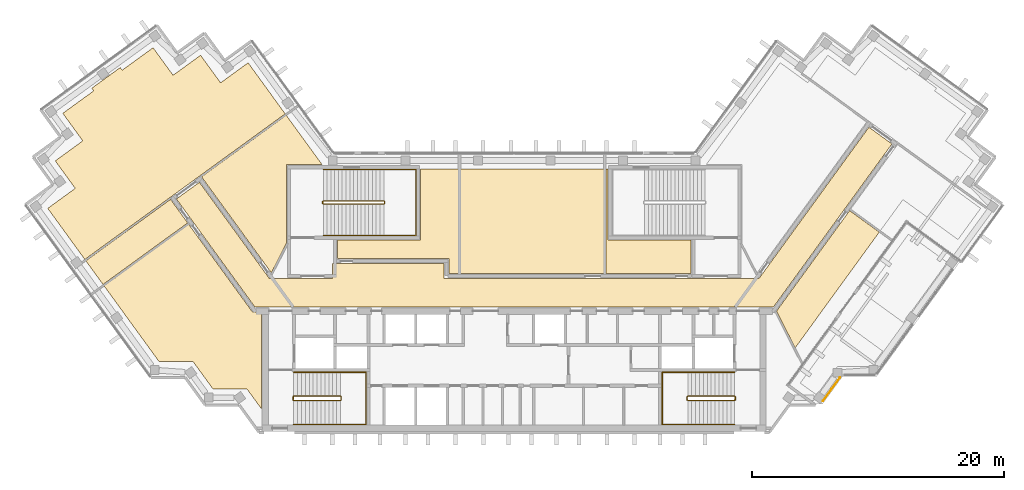
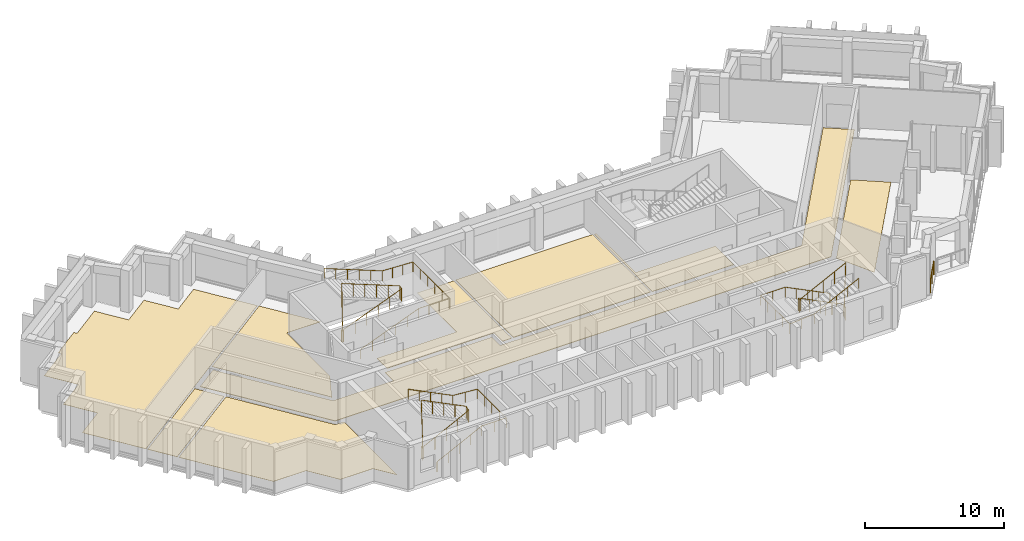
# One storey, part 10 of 11: 9 coverings, 7 railings.
"""IFC4 building model written with IfcOpenShell, lengths in metres."""

from ifc_helpers import new_model, si_unit, direction, frame, origin, origin_2d, place, context, subcontext, project, spatial, polyline, circle, outline, extrude, material, layer, layer_set, type_object, element, save


model = new_model("IFC4")

# Units and contexts
model_context = context("Model", 3, precision=1e-05, world=origin(), true_north=direction((0.0, 1.0)))
body_context = subcontext(model_context, "Body", "Model", "MODEL_VIEW")
ifc_project = project(units=[si_unit("LENGTHUNIT", "METRE"), si_unit("AREAUNIT", "SQUARE_METRE"), si_unit("VOLUMEUNIT", "CUBIC_METRE"), si_unit("PLANEANGLEUNIT", "RADIAN"), si_unit("MASSUNIT", "GRAM", prefix="KILO")], contexts=[model_context])

# Site, building, storey
site_placement = place(None, origin())
site = spatial("IfcSite", under=ifc_project, at=site_placement, CompositionType="ELEMENT")
building_placement = place(site_placement, origin())
building = spatial("IfcBuilding", under=site, at=building_placement, Name="Quipu Civic Tower", CompositionType="ELEMENT")
storey_placement = place(building_placement, frame((0.0, 0.0, 319.0)))
storey = spatial("IfcBuildingStorey", under=building, at=storey_placement, Name="L74", CompositionType="ELEMENT", Elevation=319.0)

# Coverings
ifc_material_1 = material(Name="Carpet tile on raised access floor")
ifc_layer_1 = layer(ifc_material_1, 0.02001953125)
ifc_layer_set_1 = layer_set([ifc_layer_1], Name="Carpet tile on raised access floor")
covering_type_1 = type_object("IfcCoveringType", Name="Carpet tile floor finish 20", PredefinedType="FLOORING", material=ifc_layer_set_1)
covering_1_placement = place(storey_placement, origin())
element("IfcCovering", 1, at=covering_1_placement, inside=storey, type_object=covering_type_1, Name="Carpet tile floor finish 20", PredefinedType="FLOORING", context=body_context, shape_type="SweptSolid", body=[
    extrude(outline(polyline([(-14.030029296875, 2.719970703125), (-14.030029296875, 4.179931640625), (-7.430908203125, 4.179931640625), (-7.429931640625, 9.830078125), (-4.388916015625, 9.830078125), (-4.388916015625, 1.52001953125), (-5.179931640625, 1.52001953125), (-5.181884765625, 2.719970703125), (-14.030029296875, 2.719970703125)])), origin(), (0.0, 0.0, 1.0), 0.02001953125),
])
covering_2_placement = place(storey_placement, origin())
element("IfcCovering", 2, at=covering_2_placement, inside=storey, type_object=covering_type_1, Name="Carpet tile floor finish 20", PredefinedType="FLOORING", context=body_context, shape_type="SweptSolid", body=[
    extrude(outline(polyline([(-24.81201171875, 9.2109375), (-18.089111328125, 14.093994140625), (-15.238037109375, 10.169921875), (-18.070068359375, 10.1689453125), (-18.070068359375, 3.94189453125), (-19.27197265625, 1.583984375), (-24.81201171875, 9.2109375)])), origin(), (0.0, 0.0, 1.0), 0.02001953125),
])
covering_3_placement = place(storey_placement, origin())
element("IfcCovering", 3, at=covering_3_placement, inside=storey, type_object=covering_type_1, Name="Carpet tile floor finish 20", PredefinedType="FLOORING", context=body_context, shape_type="SweptSolid", body=[
    extrude(outline(polyline([(-32.552001953125, 0.552978515625), (-25.8291015625, 5.43701171875), (-20.77490234375, -1.51904296875), (-20.070068359375, -1.52001953125), (-20.070068359375, -9.195068359375), (-21.196044921875, -7.64599609375), (-23.89501953125, -7.64599609375), (-25.48193359375, -5.4619140625), (-28.181884765625, -5.4609375), (-32.552001953125, 0.552978515625)])), origin(), (0.0, 0.0, 1.0), 0.02001953125),
])
covering_4_placement = place(storey_placement, origin())
element("IfcCovering", 4, at=covering_4_placement, inside=storey, type_object=covering_type_1, Name="Carpet tile floor finish 20", PredefinedType="FLOORING", context=body_context, shape_type="SweptSolid", body=[
    extrude(outline(polyline([(-37.02197265625, 6.7060546875), (-34.839111328125, 8.291015625), (-36.425048828125, 10.47607421875), (-34.240966796875, 12.06396484375), (-35.826904296875, 14.248046875), (-33.3701171875, 16.032958984375), (-33.52197265625, 16.2451171875), (-31.27099609375, 17.8798828125), (-31.116943359375, 17.6708984375), (-28.658935546875, 19.455078125), (-27.073974609375, 17.27197265625), (-24.887939453125, 18.85791015625), (-23.301025390625, 16.675048828125), (-21.116943359375, 18.260986328125), (-18.172119140625, 14.20703125), (-34.077880859375, 2.652099609375), (-37.02197265625, 6.7060546875)])), origin(), (0.0, 0.0, 1.0), 0.02001953125),
])
covering_5_placement = place(storey_placement, origin())
element("IfcCovering", 5, at=covering_5_placement, inside=storey, type_object=covering_type_1, Name="Carpet tile floor finish 20", PredefinedType="FLOORING", context=body_context, shape_type="SweptSolid", body=[
    extrude(outline(polyline([(20.821044921875, -1.4560546875), (26.6220703125, 6.529052734375), (28.97705078125, 4.819091796875), (22.303955078125, -4.365966796875), (20.821044921875, -1.4560546875)])), origin(), (0.0, 0.0, 1.0), 0.02001953125),
])
ifc_material_2 = material(Name="Ceramic floor tile")
ifc_layer_2 = layer(ifc_material_2, 0.030029296875)
ifc_layer_set_2 = layer_set([ifc_layer_2], Name="Ceramic floor tile")
covering_type_2 = type_object("IfcCoveringType", Name="Ceramic tile floor finish 30", PredefinedType="FLOORING", material=ifc_layer_set_2)
covering_6_placement = place(storey_placement, origin())
element("IfcCovering", 6, at=covering_6_placement, inside=storey, type_object=covering_type_2, Name="Ceramic tile floor finish 30", PredefinedType="FLOORING", context=body_context, shape_type="SweptSolid", body=[
    extrude(outline(polyline([(7.26806640625, 1.52001953125), (7.26806640625, 9.830078125), (7.429931640625, 9.830078125), (7.429931640625, 4.180908203125), (14.030029296875, 4.179931640625), (14.030029296875, 1.52001953125), (7.26806640625, 1.52001953125)])), origin(), (0.0, 0.0, 1.0), 0.030029296875),
])
covering_7_placement = place(storey_placement, origin())
element("IfcCovering", 7, at=covering_7_placement, inside=storey, type_object=covering_type_2, Name="Ceramic tile floor finish 30", PredefinedType="FLOORING", context=body_context, shape_type="SweptSolid", body=[
    extrude(outline(polyline([(-33.9951171875, 2.5390625), (-27.27197265625, 7.423095703125), (-25.912109375, 5.550048828125), (-32.635009765625, 0.666015625), (-33.9951171875, 2.5390625)])), origin(), (0.0, 0.0, 1.0), 0.030029296875),
])
ifc_material_3 = material(Name="Sealed cement screed")
ifc_layer_3 = layer(ifc_material_3, 0.050048828125)
ifc_layer_set_3 = layer_set([ifc_layer_3], Name="Sealed cement screed")
covering_type_3 = type_object("IfcCoveringType", Name="Sealed screed floor finish 50", PredefinedType="FLOORING", material=ifc_layer_set_3)
covering_8_placement = place(storey_placement, origin())
element("IfcCovering", 8, at=covering_8_placement, inside=storey, type_object=covering_type_3, Name="Sealed screed floor finish 50", PredefinedType="FLOORING", context=body_context, shape_type="SweptSolid", body=[
    extrude(outline(polyline([(-4.2490234375, 1.52001953125), (-4.2490234375, 9.830078125), (7.1279296875, 9.830078125), (7.1279296875, 1.52001953125), (-4.2490234375, 1.52001953125)])), origin(), (0.0, 0.0, 1.0), 0.050048828125),
])

# Railings
ifc_material_4 = material(Name="Stainless steel", Category="steel")
railing_type_1 = type_object("IfcRailingType", Name="Stair guard 1100", PredefinedType="GUARDRAIL", material=ifc_material_4)
railing_1_placement = place(storey_placement, frame((-17.5, -8.550048828125, 0.15380859375)))
element("IfcRailing", 9, at=railing_1_placement, inside=storey, type_object=railing_type_1, Name="Stair 1 guard", PredefinedType="GUARDRAIL", context=body_context, shape_type="SweptSolid", body=[
    extrude(circle(Radius=0.02392578125, at=origin_2d()), frame((0.0, 0.0, 1.076171875), z_axis=(0.895751851347, 0.0, 0.444554407028), x_axis=(0.0, 1.0, 0.0)), (0.0, 0.0, 1.0), 4.15283203125),
    extrude(circle(Radius=0.02392578125, at=origin_2d()), frame((3.719970703125, 0.0, 2.92236328125), z_axis=(0.707106781187, 0.707106781187, 0.0), x_axis=(-0.707106781187, 0.707106781187, 0.0)), (0.0, 0.0, 1.0), 0.07080078125),
    extrude(circle(Radius=0.02392578125, at=origin_2d()), frame((3.77001953125, 0.050048828125, 2.92236328125), z_axis=(0.0, 1.0, 0.0), x_axis=(-1.0, 0.0, 0.0)), (0.0, 0.0, 1.0), 0.25),
    extrude(circle(Radius=0.02392578125, at=origin_2d()), frame((3.77001953125, 0.300048828125, 2.92236328125), z_axis=(-0.295599637079, 0.295599637079, 0.908428152975), x_axis=(-0.707106781187, -0.707106781187, 0.0)), (0.0, 0.0, 1.0), 0.16943359375),
    extrude(circle(Radius=0.02392578125, at=origin_2d()), frame((3.719970703125, 0.35009765625, 3.076171875), z_axis=(-0.895751851347, 0.0, 0.444554407028), x_axis=(0.0, -1.0, 0.0)), (0.0, 0.0, 1.0), 4.15283203125),
    extrude(circle(Radius=0.02392578125, at=origin_2d()), frame((0.0, 0.35009765625, 4.92236328125), z_axis=(-0.012476181752, -0.074796231092, -0.997120789425), x_axis=(0.986372223864, -0.164529134168, 0.0)), (0.0, 0.0, 1.0), 4.011474609375),
    extrude(circle(Radius=0.02392578125, at=origin_2d()), frame((-0.050048828125, 0.050048828125, 0.92236328125), z_axis=(0.0, 1.0, 0.0), x_axis=(-1.0, 0.0, 0.0)), (0.0, 0.0, 1.0), 0.25),
    extrude(circle(Radius=0.02099609375, at=origin_2d()), origin(), (0.0, 0.0, 1.0), 1.052001953125),
    extrude(circle(Radius=0.02099609375, at=origin_2d()), frame((0.929931640625, 0.0, 0.46142578125)), (0.0, 0.0, 1.0), 1.052001953125),
    extrude(circle(Radius=0.02099609375, at=origin_2d()), frame((1.85986328125, 0.0, 0.923095703125)), (0.0, 0.0, 1.0), 1.052001953125),
    extrude(circle(Radius=0.02099609375, at=origin_2d()), frame((2.7900390625, 0.0, 1.384765625)), (0.0, 0.0, 1.0), 1.052001953125),
    extrude(circle(Radius=0.02099609375, at=origin_2d()), frame((3.719970703125, 0.0, 1.84619140625)), (0.0, 0.0, 1.0), 1.052001953125),
    extrude(circle(Radius=0.02099609375, at=origin_2d()), frame((3.77001953125, 0.050048828125, 1.84619140625)), (0.0, 0.0, 1.0), 1.052001953125),
    extrude(circle(Radius=0.02099609375, at=origin_2d()), frame((3.77001953125, 0.300048828125, 1.84619140625)), (0.0, 0.0, 1.0), 1.052001953125),
    extrude(circle(Radius=0.02099609375, at=origin_2d()), frame((3.719970703125, 0.35009765625, 2.0)), (0.0, 0.0, 1.0), 1.052001953125),
    extrude(circle(Radius=0.02099609375, at=origin_2d()), frame((2.7900390625, 0.35009765625, 2.46142578125)), (0.0, 0.0, 1.0), 1.052001953125),
    extrude(circle(Radius=0.02099609375, at=origin_2d()), frame((1.85986328125, 0.35009765625, 2.923095703125)), (0.0, 0.0, 1.0), 1.052001953125),
    extrude(circle(Radius=0.02099609375, at=origin_2d()), frame((0.929931640625, 0.35009765625, 3.384765625)), (0.0, 0.0, 1.0), 1.052001953125),
    extrude(circle(Radius=0.02099609375, at=origin_2d()), frame((0.0, 0.35009765625, 3.84619140625)), (0.0, 0.0, 1.0), 1.052001953125),
    extrude(circle(Radius=0.02099609375, at=origin_2d()), frame((-0.012451171875, 0.275146484375, 2.84619140625)), (0.0, 0.0, 1.0), 1.052001953125),
    extrude(circle(Radius=0.02099609375, at=origin_2d()), frame((-0.02490234375, 0.2001953125, 1.84619140625)), (0.0, 0.0, 1.0), 1.052001953125),
    extrude(circle(Radius=0.02099609375, at=origin_2d()), frame((-0.03759765625, 0.125, 0.84619140625)), (0.0, 0.0, 1.0), 1.052001953125),
    extrude(circle(Radius=0.02099609375, at=origin_2d()), frame((-0.050048828125, 0.050048828125, -0.15380859375)), (0.0, 0.0, 1.0), 1.052001953125),
    extrude(circle(Radius=0.02099609375, at=origin_2d()), frame((-0.050048828125, 0.300048828125, -0.15380859375)), (0.0, 0.0, 1.0), 1.052001953125),
])
railing_2_placement = place(storey_placement, frame((17.5, -8.199951171875, 0.15380859375)))
element("IfcRailing", 10, at=railing_2_placement, inside=storey, type_object=railing_type_1, Name="Stair 2 guard", PredefinedType="GUARDRAIL", context=body_context, shape_type="SweptSolid", body=[
    extrude(circle(Radius=0.02392578125, at=origin_2d()), frame((0.0, 0.0, 1.076171875), z_axis=(-0.895751851347, 0.0, 0.444554407028), x_axis=(0.0, -1.0, 0.0)), (0.0, 0.0, 1.0), 4.15283203125),
    extrude(circle(Radius=0.02392578125, at=origin_2d()), frame((-3.719970703125, 0.0, 2.92236328125), z_axis=(-0.707106781187, -0.707106781187, 0.0), x_axis=(0.707106781187, -0.707106781187, 0.0)), (0.0, 0.0, 1.0), 0.07080078125),
    extrude(circle(Radius=0.02392578125, at=origin_2d()), frame((-3.77001953125, -0.050048828125, 2.92236328125), z_axis=(0.0, -1.0, 0.0), x_axis=(1.0, 0.0, 0.0)), (0.0, 0.0, 1.0), 0.25),
    extrude(circle(Radius=0.02392578125, at=origin_2d()), frame((-3.77001953125, -0.300048828125, 2.92236328125), z_axis=(0.295599637079, -0.295599637079, 0.908428152975), x_axis=(0.707106781187, 0.707106781187, 0.0)), (0.0, 0.0, 1.0), 0.16943359375),
    extrude(circle(Radius=0.02392578125, at=origin_2d()), frame((-3.719970703125, -0.35009765625, 3.076171875), z_axis=(0.895751851347, 0.0, 0.444554407028), x_axis=(0.0, 1.0, 0.0)), (0.0, 0.0, 1.0), 4.15283203125),
    extrude(circle(Radius=0.02392578125, at=origin_2d()), frame((0.0, -0.35009765625, 4.92236328125), z_axis=(0.012476181752, 0.074796231092, -0.997120789425), x_axis=(-0.986372223864, 0.164529134168, 0.0)), (0.0, 0.0, 1.0), 4.011474609375),
    extrude(circle(Radius=0.02392578125, at=origin_2d()), frame((0.050048828125, -0.050048828125, 0.92236328125), z_axis=(0.0, -1.0, 0.0), x_axis=(1.0, 0.0, 0.0)), (0.0, 0.0, 1.0), 0.25),
    extrude(circle(Radius=0.02099609375, at=origin_2d()), origin(), (0.0, 0.0, 1.0), 1.052001953125),
    extrude(circle(Radius=0.02099609375, at=origin_2d()), frame((-0.929931640625, 0.0, 0.46142578125)), (0.0, 0.0, 1.0), 1.052001953125),
    extrude(circle(Radius=0.02099609375, at=origin_2d()), frame((-1.85986328125, 0.0, 0.923095703125)), (0.0, 0.0, 1.0), 1.052001953125),
    extrude(circle(Radius=0.02099609375, at=origin_2d()), frame((-2.7900390625, 0.0, 1.384765625)), (0.0, 0.0, 1.0), 1.052001953125),
    extrude(circle(Radius=0.02099609375, at=origin_2d()), frame((-3.719970703125, 0.0, 1.84619140625)), (0.0, 0.0, 1.0), 1.052001953125),
    extrude(circle(Radius=0.02099609375, at=origin_2d()), frame((-3.77001953125, -0.050048828125, 1.84619140625)), (0.0, 0.0, 1.0), 1.052001953125),
    extrude(circle(Radius=0.02099609375, at=origin_2d()), frame((-3.77001953125, -0.300048828125, 1.84619140625)), (0.0, 0.0, 1.0), 1.052001953125),
    extrude(circle(Radius=0.02099609375, at=origin_2d()), frame((-3.719970703125, -0.35009765625, 2.0)), (0.0, 0.0, 1.0), 1.052001953125),
    extrude(circle(Radius=0.02099609375, at=origin_2d()), frame((-2.7900390625, -0.35009765625, 2.46142578125)), (0.0, 0.0, 1.0), 1.052001953125),
    extrude(circle(Radius=0.02099609375, at=origin_2d()), frame((-1.85986328125, -0.35009765625, 2.923095703125)), (0.0, 0.0, 1.0), 1.052001953125),
    extrude(circle(Radius=0.02099609375, at=origin_2d()), frame((-0.929931640625, -0.35009765625, 3.384765625)), (0.0, 0.0, 1.0), 1.052001953125),
    extrude(circle(Radius=0.02099609375, at=origin_2d()), frame((0.0, -0.35009765625, 3.84619140625)), (0.0, 0.0, 1.0), 1.052001953125),
    extrude(circle(Radius=0.02099609375, at=origin_2d()), frame((0.012451171875, -0.275146484375, 2.84619140625)), (0.0, 0.0, 1.0), 1.052001953125),
    extrude(circle(Radius=0.02099609375, at=origin_2d()), frame((0.02490234375, -0.2001953125, 1.84619140625)), (0.0, 0.0, 1.0), 1.052001953125),
    extrude(circle(Radius=0.02099609375, at=origin_2d()), frame((0.03759765625, -0.125, 0.84619140625)), (0.0, 0.0, 1.0), 1.052001953125),
    extrude(circle(Radius=0.02099609375, at=origin_2d()), frame((0.050048828125, -0.050048828125, -0.15380859375)), (0.0, 0.0, 1.0), 1.052001953125),
    extrude(circle(Radius=0.02099609375, at=origin_2d()), frame((0.050048828125, -0.300048828125, -0.15380859375)), (0.0, 0.0, 1.0), 1.052001953125),
])
railing_3_placement = place(storey_placement, frame((-15.14990234375, 7.050048828125, 0.11767578125)))
element("IfcRailing", 11, at=railing_3_placement, inside=storey, type_object=railing_type_1, Name="Stair 3 guard", PredefinedType="GUARDRAIL", context=body_context, shape_type="SweptSolid", body=[
    extrude(circle(Radius=0.02392578125, at=origin_2d()), frame((0.0, 0.0, 1.076171875), z_axis=(0.930970042603, 0.0, 0.365095576219), x_axis=(0.0, 1.0, 0.0)), (0.0, 0.0, 1.0), 5.15576171875),
    extrude(circle(Radius=0.02392578125, at=origin_2d()), frame((4.7998046875, 0.0, 2.95849609375), z_axis=(0.707106781187, 0.707106781187, 0.0), x_axis=(-0.707106781187, 0.707106781187, 0.0)), (0.0, 0.0, 1.0), 0.07080078125),
    extrude(circle(Radius=0.02392578125, at=origin_2d()), frame((4.849853515625, 0.050048828125, 2.95849609375), z_axis=(0.0, 1.0, 0.0), x_axis=(-1.0, 0.0, 0.0)), (0.0, 0.0, 1.0), 0.14990234375),
    extrude(circle(Radius=0.02392578125, at=origin_2d()), frame((4.849853515625, 0.199951171875, 2.95849609375), z_axis=(-0.364463019033, 0.364463019033, 0.856932561824), x_axis=(-0.707106781187, -0.707106781187, 0.0)), (0.0, 0.0, 1.0), 0.13720703125),
    extrude(circle(Radius=0.02392578125, at=origin_2d()), frame((4.7998046875, 0.25, 3.076171875), z_axis=(-0.930970042603, 0.0, 0.365095576219), x_axis=(0.0, -1.0, 0.0)), (0.0, 0.0, 1.0), 5.15576171875),
    extrude(circle(Radius=0.02392578125, at=origin_2d()), frame((0.0, 0.25, 4.95849609375), z_axis=(-0.012495627992, -0.049921557685, -0.998674970829), x_axis=(0.970072785993, -0.242814311512, 0.0)), (0.0, 0.0, 1.0), 4.00537109375),
    extrude(circle(Radius=0.02392578125, at=origin_2d()), frame((-0.050048828125, 0.050048828125, 0.95849609375), z_axis=(0.0, 1.0, 0.0), x_axis=(-1.0, 0.0, 0.0)), (0.0, 0.0, 1.0), 0.14990234375),
    extrude(circle(Radius=0.02099609375, at=origin_2d()), origin(), (0.0, 0.0, 1.0), 1.052001953125),
    extrude(circle(Radius=0.02099609375, at=origin_2d()), frame((0.9599609375, 0.0, 0.37646484375)), (0.0, 0.0, 1.0), 1.052001953125),
    extrude(circle(Radius=0.02099609375, at=origin_2d()), frame((1.919921875, 0.0, 0.7529296875)), (0.0, 0.0, 1.0), 1.052001953125),
    extrude(circle(Radius=0.02099609375, at=origin_2d()), frame((2.8798828125, 0.0, 1.12939453125)), (0.0, 0.0, 1.0), 1.052001953125),
    extrude(circle(Radius=0.02099609375, at=origin_2d()), frame((3.83984375, 0.0, 1.505859375)), (0.0, 0.0, 1.0), 1.052001953125),
    extrude(circle(Radius=0.02099609375, at=origin_2d()), frame((4.7998046875, 0.0, 1.88232421875)), (0.0, 0.0, 1.0), 1.052001953125),
    extrude(circle(Radius=0.02099609375, at=origin_2d()), frame((4.849853515625, 0.050048828125, 1.88232421875)), (0.0, 0.0, 1.0), 1.052001953125),
    extrude(circle(Radius=0.02099609375, at=origin_2d()), frame((4.849853515625, 0.199951171875, 1.88232421875)), (0.0, 0.0, 1.0), 1.052001953125),
    extrude(circle(Radius=0.02099609375, at=origin_2d()), frame((4.7998046875, 0.25, 2.0)), (0.0, 0.0, 1.0), 1.052001953125),
    extrude(circle(Radius=0.02099609375, at=origin_2d()), frame((3.83984375, 0.25, 2.37646484375)), (0.0, 0.0, 1.0), 1.052001953125),
    extrude(circle(Radius=0.02099609375, at=origin_2d()), frame((2.8798828125, 0.25, 2.7529296875)), (0.0, 0.0, 1.0), 1.052001953125),
    extrude(circle(Radius=0.02099609375, at=origin_2d()), frame((1.919921875, 0.25, 3.12939453125)), (0.0, 0.0, 1.0), 1.052001953125),
    extrude(circle(Radius=0.02099609375, at=origin_2d()), frame((0.9599609375, 0.25, 3.505859375)), (0.0, 0.0, 1.0), 1.052001953125),
    extrude(circle(Radius=0.02099609375, at=origin_2d()), frame((0.0, 0.25, 3.88232421875)), (0.0, 0.0, 1.0), 1.052001953125),
    extrude(circle(Radius=0.02099609375, at=origin_2d()), frame((-0.012451171875, 0.199951171875, 2.88232421875)), (0.0, 0.0, 1.0), 1.052001953125),
    extrude(circle(Radius=0.02099609375, at=origin_2d()), frame((-0.02490234375, 0.14990234375, 1.88232421875)), (0.0, 0.0, 1.0), 1.052001953125),
    extrude(circle(Radius=0.02099609375, at=origin_2d()), frame((-0.03759765625, 0.10009765625, 0.88232421875)), (0.0, 0.0, 1.0), 1.052001953125),
    extrude(circle(Radius=0.02099609375, at=origin_2d()), frame((-0.050048828125, 0.050048828125, -0.11767578125)), (0.0, 0.0, 1.0), 1.052001953125),
    extrude(circle(Radius=0.02099609375, at=origin_2d()), frame((-0.050048828125, 0.199951171875, -0.11767578125)), (0.0, 0.0, 1.0), 1.052001953125),
])
ifc_material_5 = material(Name="Stainless steel", Category="steel")
railing_type_2 = type_object("IfcRailingType", Name="Stair handrail", PredefinedType="HANDRAIL", material=ifc_material_5)
railing_4_placement = place(storey_placement, frame((-17.5, -10.449951171875, 0.15380859375)))
element("IfcRailing", 12, at=railing_4_placement, inside=storey, type_object=railing_type_2, Name="Stair 1 handrail", PredefinedType="HANDRAIL", context=body_context, shape_type="SweptSolid", body=[
    extrude(circle(Radius=0.02392578125, at=origin_2d()), frame((0.0, 0.0, 0.8759765625), z_axis=(0.895751851347, 0.0, 0.444554407028), x_axis=(0.0, 1.0, 0.0)), (0.0, 0.0, 1.0), 4.15283203125),
    extrude(circle(Radius=0.02392578125, at=origin_2d()), frame((3.719970703125, 0.0, 2.72216796875), z_axis=(1.0, 0.0, 0.0), x_axis=(0.0, 1.0, 0.0)), (0.0, 0.0, 1.0), 2.030029296875),
    extrude(circle(Radius=0.02392578125, at=origin_2d()), frame((5.75, 0.0, 2.72216796875), z_axis=(0.0, 1.0, 0.0), x_axis=(-1.0, 0.0, 0.0)), (0.0, 0.0, 1.0), 4.14990234375),
    extrude(circle(Radius=0.02392578125, at=origin_2d()), frame((5.75, 4.14990234375, 2.72216796875), z_axis=(-0.997142003663, 0.0, 0.075550145798), x_axis=(0.0, -1.0, 0.0)), (0.0, 0.0, 1.0), 2.035888671875),
    extrude(circle(Radius=0.02392578125, at=origin_2d()), frame((3.719970703125, 4.14990234375, 2.8759765625), z_axis=(-0.895751851347, 0.0, 0.444554407028), x_axis=(0.0, -1.0, 0.0)), (0.0, 0.0, 1.0), 4.15283203125),
    extrude(circle(Radius=0.02099609375, at=origin_2d()), origin(), (0.0, 0.0, 1.0), 0.851806640625),
    extrude(circle(Radius=0.02099609375, at=origin_2d()), frame((0.929931640625, 0.0, 0.46142578125)), (0.0, 0.0, 1.0), 0.851806640625),
    extrude(circle(Radius=0.02099609375, at=origin_2d()), frame((1.85986328125, 0.0, 0.923095703125)), (0.0, 0.0, 1.0), 0.851806640625),
    extrude(circle(Radius=0.02099609375, at=origin_2d()), frame((2.7900390625, 0.0, 1.384765625)), (0.0, 0.0, 1.0), 0.851806640625),
    extrude(circle(Radius=0.02099609375, at=origin_2d()), frame((3.719970703125, 0.0, 1.84619140625)), (0.0, 0.0, 1.0), 0.851806640625),
    extrude(circle(Radius=0.02099609375, at=origin_2d()), frame((4.73486328125, 0.0, 1.84619140625)), (0.0, 0.0, 1.0), 0.851806640625),
    extrude(circle(Radius=0.02099609375, at=origin_2d()), frame((5.75, 0.0, 1.84619140625)), (0.0, 0.0, 1.0), 0.851806640625),
    extrude(circle(Radius=0.02099609375, at=origin_2d()), frame((5.75, 1.03759765625, 1.84619140625)), (0.0, 0.0, 1.0), 0.851806640625),
    extrude(circle(Radius=0.02099609375, at=origin_2d()), frame((5.75, 2.074951171875, 1.84619140625)), (0.0, 0.0, 1.0), 0.851806640625),
    extrude(circle(Radius=0.02099609375, at=origin_2d()), frame((5.75, 3.1123046875, 1.84619140625)), (0.0, 0.0, 1.0), 0.851806640625),
    extrude(circle(Radius=0.02099609375, at=origin_2d()), frame((5.75, 4.14990234375, 1.84619140625)), (0.0, 0.0, 1.0), 0.851806640625),
    extrude(circle(Radius=0.02099609375, at=origin_2d()), frame((4.73486328125, 4.14990234375, 1.923095703125)), (0.0, 0.0, 1.0), 0.851806640625),
    extrude(circle(Radius=0.02099609375, at=origin_2d()), frame((3.719970703125, 4.14990234375, 2.0)), (0.0, 0.0, 1.0), 0.851806640625),
    extrude(circle(Radius=0.02099609375, at=origin_2d()), frame((2.7900390625, 4.14990234375, 2.46142578125)), (0.0, 0.0, 1.0), 0.851806640625),
    extrude(circle(Radius=0.02099609375, at=origin_2d()), frame((1.85986328125, 4.14990234375, 2.923095703125)), (0.0, 0.0, 1.0), 0.851806640625),
    extrude(circle(Radius=0.02099609375, at=origin_2d()), frame((0.929931640625, 4.14990234375, 3.384765625)), (0.0, 0.0, 1.0), 0.851806640625),
    extrude(circle(Radius=0.02099609375, at=origin_2d()), frame((0.0, 4.14990234375, 3.84619140625)), (0.0, 0.0, 1.0), 0.851806640625),
])
railing_5_placement = place(storey_placement, frame((17.5, -6.300048828125, 0.15380859375)))
element("IfcRailing", 13, at=railing_5_placement, inside=storey, type_object=railing_type_2, Name="Stair 2 handrail", PredefinedType="HANDRAIL", context=body_context, shape_type="SweptSolid", body=[
    extrude(circle(Radius=0.02392578125, at=origin_2d()), frame((0.0, 0.0, 0.8759765625), z_axis=(-0.895751851347, 0.0, 0.444554407028), x_axis=(0.0, -1.0, 0.0)), (0.0, 0.0, 1.0), 4.15283203125),
    extrude(circle(Radius=0.02392578125, at=origin_2d()), frame((-3.719970703125, 0.0, 2.72216796875), z_axis=(-1.0, 0.0, 0.0), x_axis=(0.0, -1.0, 0.0)), (0.0, 0.0, 1.0), 2.030029296875),
    extrude(circle(Radius=0.02392578125, at=origin_2d()), frame((-5.75, 0.0, 2.72216796875), z_axis=(0.0, -1.0, 0.0), x_axis=(1.0, 0.0, 0.0)), (0.0, 0.0, 1.0), 4.14990234375),
    extrude(circle(Radius=0.02392578125, at=origin_2d()), frame((-5.75, -4.14990234375, 2.72216796875), z_axis=(0.997142003663, 0.0, 0.075550145798), x_axis=(0.0, 1.0, 0.0)), (0.0, 0.0, 1.0), 2.035888671875),
    extrude(circle(Radius=0.02392578125, at=origin_2d()), frame((-3.719970703125, -4.14990234375, 2.8759765625), z_axis=(0.895751851347, 0.0, 0.444554407028), x_axis=(0.0, 1.0, 0.0)), (0.0, 0.0, 1.0), 4.15283203125),
    extrude(circle(Radius=0.02099609375, at=origin_2d()), origin(), (0.0, 0.0, 1.0), 0.851806640625),
    extrude(circle(Radius=0.02099609375, at=origin_2d()), frame((-0.929931640625, 0.0, 0.46142578125)), (0.0, 0.0, 1.0), 0.851806640625),
    extrude(circle(Radius=0.02099609375, at=origin_2d()), frame((-1.85986328125, 0.0, 0.923095703125)), (0.0, 0.0, 1.0), 0.851806640625),
    extrude(circle(Radius=0.02099609375, at=origin_2d()), frame((-2.7900390625, 0.0, 1.384765625)), (0.0, 0.0, 1.0), 0.851806640625),
    extrude(circle(Radius=0.02099609375, at=origin_2d()), frame((-3.719970703125, 0.0, 1.84619140625)), (0.0, 0.0, 1.0), 0.851806640625),
    extrude(circle(Radius=0.02099609375, at=origin_2d()), frame((-4.73486328125, 0.0, 1.84619140625)), (0.0, 0.0, 1.0), 0.851806640625),
    extrude(circle(Radius=0.02099609375, at=origin_2d()), frame((-5.75, 0.0, 1.84619140625)), (0.0, 0.0, 1.0), 0.851806640625),
    extrude(circle(Radius=0.02099609375, at=origin_2d()), frame((-5.75, -1.03759765625, 1.84619140625)), (0.0, 0.0, 1.0), 0.851806640625),
    extrude(circle(Radius=0.02099609375, at=origin_2d()), frame((-5.75, -2.074951171875, 1.84619140625)), (0.0, 0.0, 1.0), 0.851806640625),
    extrude(circle(Radius=0.02099609375, at=origin_2d()), frame((-5.75, -3.1123046875, 1.84619140625)), (0.0, 0.0, 1.0), 0.851806640625),
    extrude(circle(Radius=0.02099609375, at=origin_2d()), frame((-5.75, -4.14990234375, 1.84619140625)), (0.0, 0.0, 1.0), 0.851806640625),
    extrude(circle(Radius=0.02099609375, at=origin_2d()), frame((-4.73486328125, -4.14990234375, 1.923095703125)), (0.0, 0.0, 1.0), 0.851806640625),
    extrude(circle(Radius=0.02099609375, at=origin_2d()), frame((-3.719970703125, -4.14990234375, 2.0)), (0.0, 0.0, 1.0), 0.851806640625),
    extrude(circle(Radius=0.02099609375, at=origin_2d()), frame((-2.7900390625, -4.14990234375, 2.46142578125)), (0.0, 0.0, 1.0), 0.851806640625),
    extrude(circle(Radius=0.02099609375, at=origin_2d()), frame((-1.85986328125, -4.14990234375, 2.923095703125)), (0.0, 0.0, 1.0), 0.851806640625),
    extrude(circle(Radius=0.02099609375, at=origin_2d()), frame((-0.929931640625, -4.14990234375, 3.384765625)), (0.0, 0.0, 1.0), 0.851806640625),
    extrude(circle(Radius=0.02099609375, at=origin_2d()), frame((0.0, -4.14990234375, 3.84619140625)), (0.0, 0.0, 1.0), 0.851806640625),
])
railing_6_placement = place(storey_placement, frame((-15.14990234375, 4.550048828125, 0.11767578125)))
element("IfcRailing", 14, at=railing_6_placement, inside=storey, type_object=railing_type_2, Name="Stair 3 handrail", PredefinedType="HANDRAIL", context=body_context, shape_type="SweptSolid", body=[
    extrude(circle(Radius=0.02392578125, at=origin_2d()), frame((0.0, 0.0, 0.8759765625), z_axis=(0.930970042603, 0.0, 0.365095576219), x_axis=(0.0, 1.0, 0.0)), (0.0, 0.0, 1.0), 5.15576171875),
    extrude(circle(Radius=0.02392578125, at=origin_2d()), frame((4.7998046875, 0.0, 2.75830078125), z_axis=(1.0, 0.0, 0.0), x_axis=(0.0, 1.0, 0.0)), (0.0, 0.0, 1.0), 2.550048828125),
    extrude(circle(Radius=0.02392578125, at=origin_2d()), frame((7.349853515625, 0.0, 2.75830078125), z_axis=(0.0, 1.0, 0.0), x_axis=(-1.0, 0.0, 0.0)), (0.0, 0.0, 1.0), 5.25),
    extrude(circle(Radius=0.02392578125, at=origin_2d()), frame((7.349853515625, 5.25, 2.75830078125), z_axis=(-0.998936948642, 0.0, 0.04609742549), x_axis=(0.0, -1.0, 0.0)), (0.0, 0.0, 1.0), 2.552734375),
    extrude(circle(Radius=0.02392578125, at=origin_2d()), frame((4.7998046875, 5.25, 2.8759765625), z_axis=(-0.930970042603, 0.0, 0.365095576219), x_axis=(0.0, -1.0, 0.0)), (0.0, 0.0, 1.0), 5.15576171875),
    extrude(circle(Radius=0.02099609375, at=origin_2d()), origin(), (0.0, 0.0, 1.0), 0.851806640625),
    extrude(circle(Radius=0.02099609375, at=origin_2d()), frame((0.9599609375, 0.0, 0.37646484375)), (0.0, 0.0, 1.0), 0.851806640625),
    extrude(circle(Radius=0.02099609375, at=origin_2d()), frame((1.919921875, 0.0, 0.7529296875)), (0.0, 0.0, 1.0), 0.851806640625),
    extrude(circle(Radius=0.02099609375, at=origin_2d()), frame((2.8798828125, 0.0, 1.12939453125)), (0.0, 0.0, 1.0), 0.851806640625),
    extrude(circle(Radius=0.02099609375, at=origin_2d()), frame((3.83984375, 0.0, 1.505859375)), (0.0, 0.0, 1.0), 0.851806640625),
    extrude(circle(Radius=0.02099609375, at=origin_2d()), frame((4.7998046875, 0.0, 1.88232421875)), (0.0, 0.0, 1.0), 0.851806640625),
    extrude(circle(Radius=0.02099609375, at=origin_2d()), frame((5.64990234375, 0.0, 1.88232421875)), (0.0, 0.0, 1.0), 0.851806640625),
    extrude(circle(Radius=0.02099609375, at=origin_2d()), frame((6.499755859375, 0.0, 1.88232421875)), (0.0, 0.0, 1.0), 0.851806640625),
    extrude(circle(Radius=0.02099609375, at=origin_2d()), frame((7.349853515625, 0.0, 1.88232421875)), (0.0, 0.0, 1.0), 0.851806640625),
    extrude(circle(Radius=0.02099609375, at=origin_2d()), frame((7.349853515625, 1.050048828125, 1.88232421875)), (0.0, 0.0, 1.0), 0.851806640625),
    extrude(circle(Radius=0.02099609375, at=origin_2d()), frame((7.349853515625, 2.10009765625, 1.88232421875)), (0.0, 0.0, 1.0), 0.851806640625),
    extrude(circle(Radius=0.02099609375, at=origin_2d()), frame((7.349853515625, 3.14990234375, 1.88232421875)), (0.0, 0.0, 1.0), 0.851806640625),
    extrude(circle(Radius=0.02099609375, at=origin_2d()), frame((7.349853515625, 4.199951171875, 1.88232421875)), (0.0, 0.0, 1.0), 0.851806640625),
    extrude(circle(Radius=0.02099609375, at=origin_2d()), frame((7.349853515625, 5.25, 1.88232421875)), (0.0, 0.0, 1.0), 0.851806640625),
    extrude(circle(Radius=0.02099609375, at=origin_2d()), frame((6.499755859375, 5.25, 1.921630859375)), (0.0, 0.0, 1.0), 0.851806640625),
    extrude(circle(Radius=0.02099609375, at=origin_2d()), frame((5.64990234375, 5.25, 1.960693359375)), (0.0, 0.0, 1.0), 0.851806640625),
    extrude(circle(Radius=0.02099609375, at=origin_2d()), frame((4.7998046875, 5.25, 2.0)), (0.0, 0.0, 1.0), 0.851806640625),
    extrude(circle(Radius=0.02099609375, at=origin_2d()), frame((3.83984375, 5.25, 2.37646484375)), (0.0, 0.0, 1.0), 0.851806640625),
    extrude(circle(Radius=0.02099609375, at=origin_2d()), frame((2.8798828125, 5.25, 2.7529296875)), (0.0, 0.0, 1.0), 0.851806640625),
    extrude(circle(Radius=0.02099609375, at=origin_2d()), frame((1.919921875, 5.25, 3.12939453125)), (0.0, 0.0, 1.0), 0.851806640625),
    extrude(circle(Radius=0.02099609375, at=origin_2d()), frame((0.9599609375, 5.25, 3.505859375)), (0.0, 0.0, 1.0), 0.851806640625),
    extrude(circle(Radius=0.02099609375, at=origin_2d()), frame((0.0, 5.25, 3.88232421875)), (0.0, 0.0, 1.0), 0.851806640625),
])
ifc_material_6 = material(Name="Steel S275", Category="steel")
railing_type_3 = type_object("IfcRailingType", Name="Terrace guard G1", PredefinedType="GUARDRAIL", material=ifc_material_6)
railing_7_placement = place(storey_placement, frame((24.51220703125, -8.583251953125, 0.0)))
element("IfcRailing", 15, at=railing_7_placement, inside=storey, type_object=railing_type_3, Name="Terrace guard L74.1", PredefinedType="GUARDRAIL", context=body_context, shape_type="SweptSolid", body=[
    extrude(circle(Radius=0.02490234375, at=origin_2d()), frame((0.0, 0.0, 1.1748046875), z_axis=(0.587856073225, 0.808965535219, 0.0), x_axis=(-0.808965535219, 0.587856073225, 0.0)), (0.0, 0.0, 1.0), 2.300048828125),
    extrude(circle(Radius=0.02490234375, at=origin_2d()), origin(), (0.0, 0.0, 1.0), 1.14990234375),
    extrude(circle(Radius=0.02490234375, at=origin_2d()), frame((0.676025390625, 0.93017578125, 0.0)), (0.0, 0.0, 1.0), 1.14990234375),
    extrude(circle(Radius=0.02490234375, at=origin_2d()), frame((1.35205078125, 1.860595703125, 0.0)), (0.0, 0.0, 1.0), 1.14990234375),
])

# Covering
ifc_material_7 = material(Name="Terrazzo floor finish")
ifc_layer_4 = layer(ifc_material_7, 0.0400390625)
ifc_layer_set_4 = layer_set([ifc_layer_4], Name="Terrazzo floor finish")
covering_type_4 = type_object("IfcCoveringType", Name="Terrazzo floor finish 40", PredefinedType="FLOORING", material=ifc_layer_set_4)
covering_9_placement = place(storey_placement, origin())
element("IfcCovering", 16, at=covering_9_placement, inside=storey, type_object=covering_type_4, Name="Terrazzo floor finish 40", PredefinedType="FLOORING", context=body_context, shape_type="SweptSolid", body=[
    extrude(outline(polyline([(19.425048828125, 1.1298828125), (28.155029296875, 13.14697265625), (29.98291015625, 11.819091796875), (20.574951171875, -1.1298828125), (-20.574951171875, -1.1298828125), (-26.80908203125, 7.450927734375), (-24.98095703125, 8.778076171875), (-19.425048828125, 1.1298828125), (-14.429931640625, 1.1298828125), (-14.429931640625, 2.330078125), (-5.570068359375, 2.330078125), (-5.570068359375, 1.1298828125), (19.425048828125, 1.1298828125)])), origin(), (0.0, 0.0, 1.0), 0.0400390625),
])

save(model, "model.ifc")
